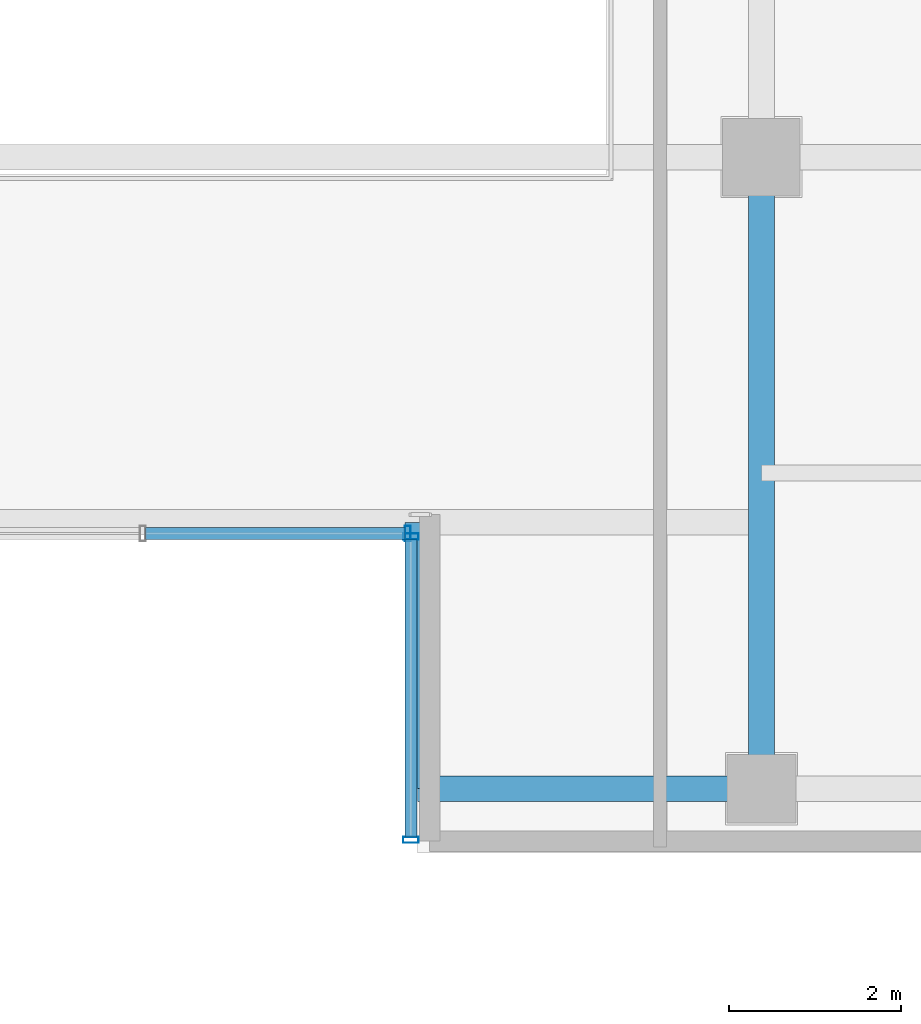
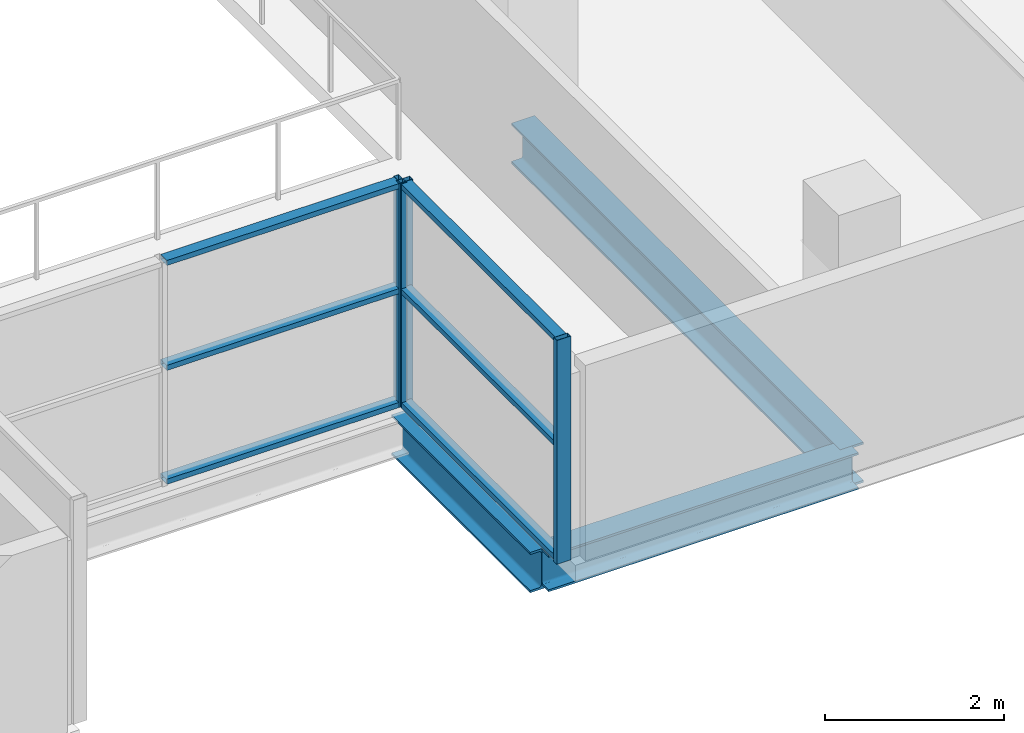
# One storey, part 10 of 28: 9 members, 3 beams, 2 elements without a shape of their own.
"""IFC4 building model written with IfcOpenShell, lengths in metres."""

from ifc_helpers import new_model, si_unit, direction, frame, origin, origin_2d, place, context, subcontext, project, spatial, hollow_rectangle, i_section, extrude, source, transform, mapped, material, layer, layer_set, material_profile, profile_set, type_object, element, aggregate, save


model = new_model("IFC4")

# Units and contexts
model_context = context("Model", 3, precision=1e-05, world=origin(), true_north=direction((0.0, 1.0)))
body_context = subcontext(model_context, "Body", "Model", "MODEL_VIEW")
ifc_project = project(units=[si_unit("LENGTHUNIT", "METRE"), si_unit("AREAUNIT", "SQUARE_METRE"), si_unit("VOLUMEUNIT", "CUBIC_METRE"), si_unit("PLANEANGLEUNIT", "RADIAN"), si_unit("MASSUNIT", "GRAM", prefix="KILO")], contexts=[model_context])

# Site, building, storey
site_placement = place(None, origin())
site = spatial("IfcSite", under=ifc_project, at=site_placement, CompositionType="ELEMENT")
building_placement = place(site_placement, origin())
building = spatial("IfcBuilding", under=site, at=building_placement, Name="Zarnakvel Exchange Tower", CompositionType="ELEMENT")
storey_placement = place(building_placement, frame((0.0, 0.0, 103.300048828125)))
storey = spatial("IfcBuildingStorey", under=building, at=storey_placement, Name="L28", CompositionType="ELEMENT", Elevation=103.300048828125)

# Beams
ifc_material_1 = material(Name="Steel S355", Category="steel")
ifc_material_profile_1 = material_profile(ifc_material_1, i_section(OverallWidth=0.300048828125, OverallDepth=0.550048828125, WebThickness=0.014892578125, FlangeThickness=0.029052734375, FilletRadius=0.027099609375, at=origin_2d()))
ifc_profile_set_1 = profile_set([ifc_material_profile_1], Name="Steel S355")
beam_type_1 = type_object("IfcBeamType", Name="G-05", PredefinedType="BEAM", material=ifc_profile_set_1)
beam_1_placement = place(storey_placement, frame((3.199951171875, -16.949951171875, -0.5), z_axis=(0.0, 1.0, 0.0), x_axis=(-1.0, 0.0, 0.0)))
element("IfcBeam", 1, at=beam_1_placement, inside=storey, type_object=beam_type_1, Name="L28 South Slot East Cheek Beam", PredefinedType="BEAM", context=body_context, shape_type="SweptSolid", body=[
    extrude(i_section(OverallWidth=0.300048828125, OverallDepth=0.550048828125, WebThickness=0.014892578125, FlangeThickness=0.029052734375, FilletRadius=0.027099609375, at=origin_2d()), origin(), (0.0, 0.0, 1.0), 3.099853515625),
])
beam_2_placement = place(storey_placement, frame((7.199951171875, -16.949951171875, -0.5), z_axis=(0.0, 1.0, 0.0), x_axis=(-1.0, 0.0, 0.0)))
element("IfcBeam", 2, at=beam_2_placement, inside=storey, type_object=beam_type_1, Name="L28 Tower N-S Frame Beam", PredefinedType="BEAM", context=body_context, shape_type="SweptSolid", body=[
    extrude(i_section(OverallWidth=0.300048828125, OverallDepth=0.550048828125, WebThickness=0.014892578125, FlangeThickness=0.029052734375, FilletRadius=0.027099609375, at=origin_2d()), origin(), (0.0, 0.0, 1.0), 7.349853515625),
])
ifc_material_profile_2 = material_profile(ifc_material_1, i_section(OverallWidth=0.300048828125, OverallDepth=0.5, WebThickness=0.014404296875, FlangeThickness=0.028076171875, FilletRadius=0.027099609375, at=origin_2d()))
ifc_profile_set_2 = profile_set([ifc_material_profile_2], Name="Steel S355")
beam_type_2 = type_object("IfcBeamType", Name="SP-02", PredefinedType="SPANDREL", material=ifc_profile_set_2)
beam_3_placement = place(storey_placement, frame((3.199951171875, -16.949951171875, -0.47509765625), z_axis=(1.0, 0.0, 0.0), x_axis=(0.0, 1.0, 0.0)))
element("IfcBeam", 3, at=beam_3_placement, inside=storey, type_object=beam_type_2, Name="L28 South Slot East Jamb Spandrel", PredefinedType="SPANDREL", context=body_context, shape_type="SweptSolid", body=[
    extrude(i_section(OverallWidth=0.300048828125, OverallDepth=0.5, WebThickness=0.014404296875, FlangeThickness=0.028076171875, FilletRadius=0.027099609375, at=origin_2d()), origin(), (0.0, 0.0, 1.0), 4.0),
])

# Curtain wall, members
ifc_material_2 = material(Name="Architectural Bronze Anodised Aluminium", Category="aluminium")
ifc_layer = layer(ifc_material_2, 0.179931640625)
ifc_layer_set = layer_set([ifc_layer], Name="Architectural Bronze Anodised Aluminium")
curtain_wall_type = type_object("IfcCurtainWallType", Name="CW-05", PredefinedType="NOTDEFINED", material=ifc_layer_set)
curtain_wall_1_placement = place(storey_placement, origin())
curtain_wall_1 = element("IfcCurtainWall", 4, at=curtain_wall_1_placement, inside=storey, type_object=curtain_wall_type, Name="L28 Curtain Wall CW-L28-SLE (CW-05)", PredefinedType="NOTDEFINED")
ifc_material_profile_3 = material_profile(ifc_material_2, hollow_rectangle(XDim=0.139892578125, YDim=0.070068359375, WallThickness=0.00390625, at=origin_2d()))
ifc_profile_set_3 = profile_set([ifc_material_profile_3], Name="Architectural Bronze Anodised Aluminium")
member_type_1 = type_object("IfcMemberType", Name="CWT-05", PredefinedType="USERDEFINED", material=ifc_profile_set_3)
shared_shape_1 = source(origin(), body_context, "Body", "SweptSolid", [
    extrude(hollow_rectangle(XDim=0.139892578125, YDim=0.070068359375, WallThickness=0.00390625, at=origin_2d()), origin(), (0.0, 0.0, 1.0), 3.4599609375),
])
member_1_placement = place(storey_placement, frame((3.1201171875, -14.050048828125, 0.034912109375), z_axis=(0.0, -1.0, 0.0), x_axis=(1.0, 0.0, 0.0)))
member_1 = element("IfcMember", 5, at=member_1_placement, type_object=member_type_1, Name="CW-05 transom 1.1", ObjectType="TRANSOM", PredefinedType="USERDEFINED", context=body_context, shape_type="MappedRepresentation", body=[
    mapped(shared_shape_1, transform((0.0, 0.0, 0.0), x_axis=(1.0, 0.0, 0.0), y_axis=(0.0, 1.0, 0.0), z_axis=(0.0, 0.0, 1.0), scale=1.0)),
])
member_2_placement = place(storey_placement, frame((3.1201171875, -14.050048828125, 1.588623046875), z_axis=(0.0, -1.0, 0.0), x_axis=(1.0, 0.0, 0.0)))
member_2 = element("IfcMember", 6, at=member_2_placement, type_object=member_type_1, Name="CW-05 transom 1.2", ObjectType="TRANSOM", PredefinedType="USERDEFINED", context=body_context, shape_type="MappedRepresentation", body=[
    mapped(shared_shape_1, transform((0.0, 0.0, 0.0), x_axis=(1.0, 0.0, 0.0), y_axis=(0.0, 1.0, 0.0), z_axis=(0.0, 0.0, 1.0), scale=1.0)),
])
member_3_placement = place(storey_placement, frame((3.1201171875, -14.050048828125, 3.02001953125), z_axis=(0.0, -1.0, 0.0), x_axis=(1.0, 0.0, 0.0)))
member_3 = element("IfcMember", 7, at=member_3_placement, type_object=member_type_1, Name="CW-05 transom 1.3", ObjectType="TRANSOM", PredefinedType="USERDEFINED", context=body_context, shape_type="MappedRepresentation", body=[
    mapped(shared_shape_1, transform((0.0, 0.0, 0.0), x_axis=(1.0, 0.0, 0.0), y_axis=(0.0, 1.0, 0.0), z_axis=(0.0, 0.0, 1.0), scale=1.0)),
])

curtain_wall_2_placement = place(storey_placement, origin())
curtain_wall_2 = element("IfcCurtainWall", 8, at=curtain_wall_2_placement, inside=storey, type_object=curtain_wall_type, Name="L28 Curtain Wall CW-L28-SLB (CW-05)", PredefinedType="NOTDEFINED")
shared_shape_2 = source(origin(), body_context, "Body", "SweptSolid", [
    extrude(hollow_rectangle(XDim=0.139892578125, YDim=0.070068359375, WallThickness=0.00390625, at=origin_2d()), origin(), (0.0, 0.0, 1.0), 3.01513671875),
])
member_4_placement = place(storey_placement, frame((0.034912109375, -13.97998046875, 0.034912109375), z_axis=(1.0, 0.0, 0.0), x_axis=(0.0, 1.0, 0.0)))
member_4 = element("IfcMember", 9, at=member_4_placement, type_object=member_type_1, Name="CW-05 transom 2.1", ObjectType="TRANSOM", PredefinedType="USERDEFINED", context=body_context, shape_type="MappedRepresentation", body=[
    mapped(shared_shape_2, transform((0.0, 0.0, 0.0), x_axis=(1.0, 0.0, 0.0), y_axis=(0.0, 1.0, 0.0), z_axis=(0.0, 0.0, 1.0), scale=1.0)),
])
member_5_placement = place(storey_placement, frame((0.034912109375, -13.97998046875, 1.588623046875), z_axis=(1.0, 0.0, 0.0), x_axis=(0.0, 1.0, 0.0)))
member_5 = element("IfcMember", 10, at=member_5_placement, type_object=member_type_1, Name="CW-05 transom 2.2", ObjectType="TRANSOM", PredefinedType="USERDEFINED", context=body_context, shape_type="MappedRepresentation", body=[
    mapped(shared_shape_2, transform((0.0, 0.0, 0.0), x_axis=(1.0, 0.0, 0.0), y_axis=(0.0, 1.0, 0.0), z_axis=(0.0, 0.0, 1.0), scale=1.0)),
])
member_6_placement = place(storey_placement, frame((0.034912109375, -13.97998046875, 3.02001953125), z_axis=(1.0, 0.0, 0.0), x_axis=(0.0, 1.0, 0.0)))
member_6 = element("IfcMember", 11, at=member_6_placement, type_object=member_type_1, Name="CW-05 transom 2.3", ObjectType="TRANSOM", PredefinedType="USERDEFINED", context=body_context, shape_type="MappedRepresentation", body=[
    mapped(shared_shape_2, transform((0.0, 0.0, 0.0), x_axis=(1.0, 0.0, 0.0), y_axis=(0.0, 1.0, 0.0), z_axis=(0.0, 0.0, 1.0), scale=1.0)),
])
ifc_material_profile_4 = material_profile(ifc_material_2, hollow_rectangle(XDim=0.179931640625, YDim=0.070068359375, WallThickness=0.00390625, at=origin_2d()))
ifc_profile_set_4 = profile_set([ifc_material_profile_4], Name="Architectural Bronze Anodised Aluminium")
member_type_2 = type_object("IfcMemberType", Name="CWM-05", PredefinedType="MULLION", material=ifc_profile_set_4)
shared_shape_3 = source(origin(), body_context, "Body", "SweptSolid", [
    extrude(hollow_rectangle(XDim=0.179931640625, YDim=0.070068359375, WallThickness=0.00390625, at=origin_2d()), origin(), (0.0, 0.0, 1.0), 3.054931640625),
])
member_7_placement = place(storey_placement, frame((3.0849609375, -13.97998046875, 0.0), z_axis=(0.0, 0.0, 1.0), x_axis=(0.0, 1.0, 0.0)))
member_7 = element("IfcMember", 12, at=member_7_placement, type_object=member_type_2, Name="CW-05 mullion 3", PredefinedType="MULLION", context=body_context, shape_type="MappedRepresentation", body=[
    mapped(shared_shape_3, transform((0.0, 0.0, 0.0), x_axis=(1.0, 0.0, 0.0), y_axis=(0.0, 1.0, 0.0), z_axis=(0.0, 0.0, 1.0), scale=1.0)),
])
aggregate(curtain_wall_2, [member_7, member_4, member_5, member_6])

# Member
member_8_placement = place(storey_placement, frame((3.1201171875, -14.014892578125, 0.0), z_axis=(0.0, 0.0, 1.0), x_axis=(1.0, 0.0, 0.0)))
member_8 = element("IfcMember", 13, at=member_8_placement, type_object=member_type_2, Name="CW-05 mullion 1", PredefinedType="MULLION", context=body_context, shape_type="MappedRepresentation", body=[
    mapped(shared_shape_3, transform((0.0, 0.0, 0.0), x_axis=(1.0, 0.0, 0.0), y_axis=(0.0, 1.0, 0.0), z_axis=(0.0, 0.0, 1.0), scale=1.0)),
])

member_9_placement = place(storey_placement, frame((3.1201171875, -17.544921875, 0.0), z_axis=(0.0, 0.0, 1.0), x_axis=(1.0, 0.0, 0.0)))
member_9 = element("IfcMember", 14, at=member_9_placement, type_object=member_type_2, Name="CW-05 mullion 2", PredefinedType="MULLION", context=body_context, shape_type="MappedRepresentation", body=[
    mapped(shared_shape_3, transform((0.0, 0.0, 0.0), x_axis=(1.0, 0.0, 0.0), y_axis=(0.0, 1.0, 0.0), z_axis=(0.0, 0.0, 1.0), scale=1.0)),
])

aggregate(curtain_wall_1, [member_8, member_9, member_1, member_2, member_3])

save(model, "model.ifc")
